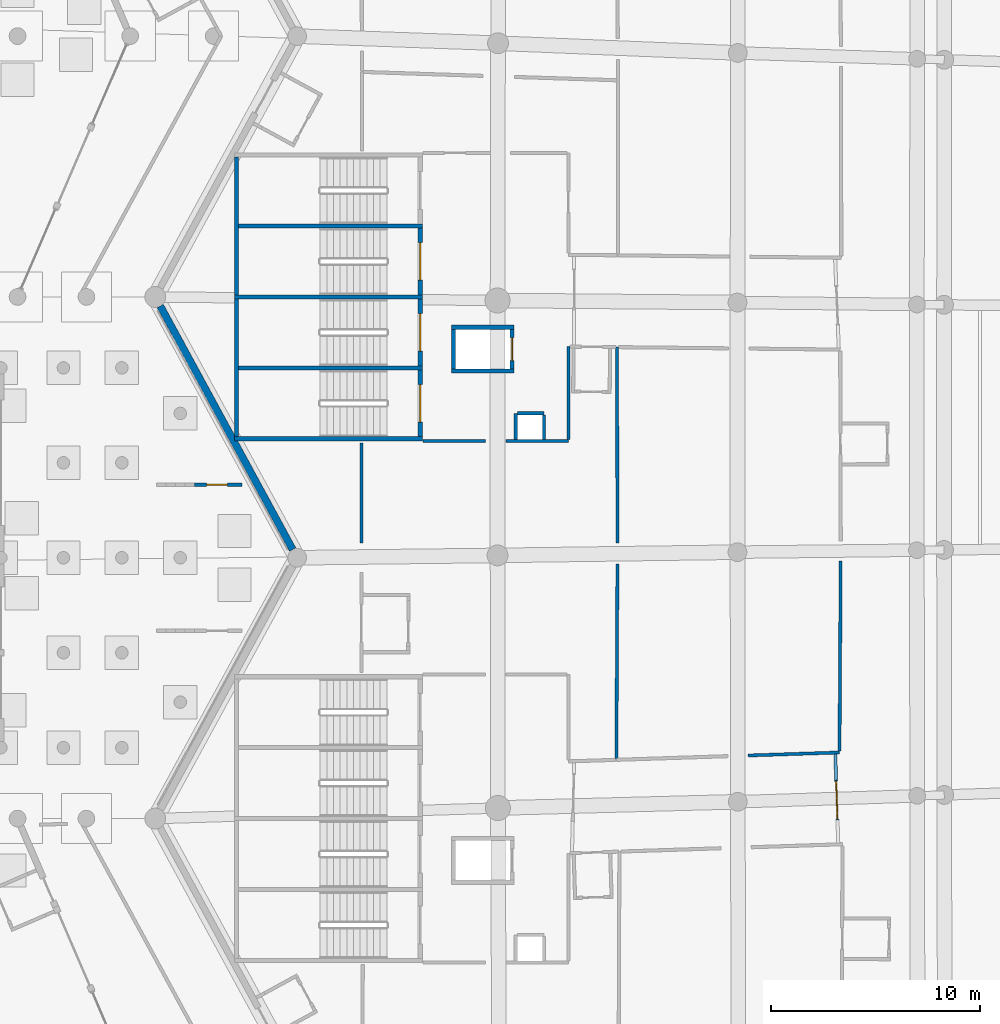
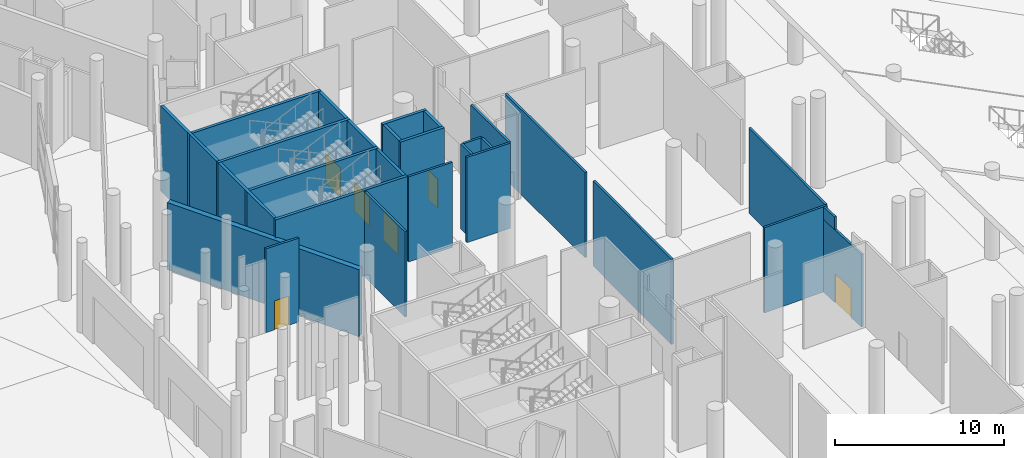
# One storey, part 114 of 255: 28 walls, 6 doors, 6 openings.
"""IFC4 building model written with IfcOpenShell, lengths in metres."""

from ifc_helpers import new_model, si_unit, direction, frame, frame_2d, origin, place, context, subcontext, project, spatial, rectangle, extrude, material, layer, layer_set, type_object, element, fill, save


model = new_model("IFC4")

# Units and contexts
model_context = context("Model", 3, precision=1e-05, world=origin(), true_north=direction((0.0, 1.0)))
body_context = subcontext(model_context, "Body", "Model", "MODEL_VIEW")
ifc_project = project(units=[si_unit("LENGTHUNIT", "METRE"), si_unit("AREAUNIT", "SQUARE_METRE"), si_unit("VOLUMEUNIT", "CUBIC_METRE"), si_unit("PLANEANGLEUNIT", "RADIAN"), si_unit("MASSUNIT", "GRAM", prefix="KILO")], contexts=[model_context])

# Site, building, storey
site_placement = place(None, origin())
site = spatial("IfcSite", under=ifc_project, at=site_placement, CompositionType="ELEMENT")
building_placement = place(site_placement, origin())
building = spatial("IfcBuilding", under=site, at=building_placement, Name="Meseta Stadium", CompositionType="ELEMENT")
storey_placement = place(building_placement, origin())
storey = spatial("IfcBuildingStorey", under=building, at=storey_placement, Name="L00", CompositionType="ELEMENT", Elevation=0.0)

# Walls
ifc_material_1 = material(Name="Concrete C40/50", Category="concrete")
ifc_layer_1 = layer(ifc_material_1, 0.199951171875)
ifc_layer_set_1 = layer_set([ifc_layer_1], Name="Core divider wall 200")
wall_type_1 = type_object("IfcWallType", Name="Core divider wall 200", PredefinedType="SHEAR", material=ifc_layer_set_1)
for number, where, z_axis, x_axis, name in (
    (1, (-97.60009765625, 9.64990234375, 0.0), (0.0, 0.0, 1.0), (1.0, 0.0, 0.0), "Core 17 L00 stair A divider wall"),
    (2, (-97.60009765625, 2.85009765625, 0.0), (0.0, 0.0, 1.0), (1.0, 0.0, 0.0), "Core 17 L00 stair B divider wall"),
):
    element("IfcWall", number, at=place(storey_placement, frame(where, z_axis=z_axis, x_axis=x_axis)), inside=storey, type_object=wall_type_1, Name=name, PredefinedType="SHEAR", context=body_context, shape_type="SweptSolid", body=[
        extrude(rectangle(XDim=9.0, YDim=0.199951171875, at=frame_2d((4.5, 0.0))), origin(), (0.0, 0.0, 1.0), 6.14990234375),
    ])
ifc_material_2 = material(Name="Concrete C40/50", Category="concrete")
ifc_layer_2 = layer(ifc_material_2, 0.199951171875)
ifc_layer_set_2 = layer_set([ifc_layer_2], Name="Core shaft wall 200")
wall_type_2 = type_object("IfcWallType", Name="Core shaft wall 200", PredefinedType="SHEAR", material=ifc_layer_set_2)
for number, where, z_axis, x_axis, name in (
    (3, (-97.60009765625, 6.25, 0.0), (0.0, 0.0, 1.0), (1.0, 0.0, 0.0), "Core 17 L00 stair wall shared"),
    (4, (-97.60009765625, -0.550048828125, 0.0), (0.0, 0.0, 1.0), (1.0, 0.0, 0.0), "Core 17 L00 stair wall B-side"),
):
    element("IfcWall", number, at=place(storey_placement, frame(where, z_axis=z_axis, x_axis=x_axis)), inside=storey, type_object=wall_type_2, Name=name, PredefinedType="SHEAR", context=body_context, shape_type="SweptSolid", body=[
        extrude(rectangle(XDim=9.0, YDim=0.199951171875, at=frame_2d((4.5, 0.0))), origin(), (0.0, 0.0, 1.0), 6.14990234375),
    ])
for number, where, z_axis, x_axis, name in (
    (5, (-97.5, 12.949951171875, 0.0), (0.0, 0.0, 1.0), (0.0, -1.0, 0.0), "Core 17 L00 stair A outer end wall"),
    (6, (-97.5, 6.14990234375, 0.0), (0.0, 0.0, 1.0), (0.0, -1.0, 0.0), "Core 17 L00 stair B outer end wall"),
):
    element("IfcWall", number, at=place(storey_placement, frame(where, z_axis=z_axis, x_axis=x_axis)), inside=storey, type_object=wall_type_2, Name=name, PredefinedType="SHEAR", context=body_context, shape_type="SweptSolid", body=[
        extrude(rectangle(XDim=6.599853515625, YDim=0.199951171875, at=frame_2d((3.2998046875, 0.0))), origin(), (0.0, 0.0, 1.0), 6.14990234375),
    ])

# Wall, opening, door
wall_1_placement = place(storey_placement, frame((-88.699951171875, 9.550048828125, 0.0), z_axis=(0.0, 0.0, 1.0), x_axis=(0.0, -1.0, 0.0)))
wall_1 = element("IfcWall", 7, at=wall_1_placement, inside=storey, type_object=wall_type_2, Name="Core 17 L00 stair A2 inner end wall", PredefinedType="SHEAR", context=body_context, shape_type="SweptSolid", body=[
    extrude(rectangle(XDim=3.199951171875, YDim=0.199951171875, at=frame_2d((1.60009765625, 0.0))), origin(), (0.0, 0.0, 1.0), 6.14990234375),
])
opening_1_placement = place(wall_1_placement, frame((0.699951171875, 0.0, 0.0)))
opening_1 = element("IfcOpeningElement", 8, at=opening_1_placement, cuts=wall_1, Name="Opening D230", PredefinedType="OPENING", context=body_context, shape_type="SweptSolid", body=[
    extrude(rectangle(XDim=1.800048828125, YDim=2.10009765625, at=frame_2d((0.89990234375, 1.050048828125))), frame((0.0, 0.10986328125, 0.0), z_axis=(0.0, -1.0, 0.0), x_axis=(1.0, 0.0, 0.0)), (0.0, 0.0, 1.0), 0.219970703125),
])
ifc_material_3 = material(Name="Steel", Category="steel")
door_type_1 = type_object("IfcDoorType", Name="Stair door 1800x2100", OperationType="DOUBLE_DOOR_SINGLE_SWING", PredefinedType="DOOR", material=ifc_material_3)
door_1_placement = place(opening_1_placement, origin())
door_1 = element("IfcDoor", 9, at=door_1_placement, inside=storey, type_object=door_type_1, Name="Stair A2 door 17 L00", OperationType="DOUBLE_DOOR_SINGLE_SWING", OverallHeight=2.10009765625, OverallWidth=1.800048828125, PredefinedType="DOOR", context=body_context, shape_type="SweptSolid", body=[
    extrude(rectangle(XDim=1.800048828125, YDim=2.10009765625, at=frame_2d((0.89990234375, 1.050048828125))), frame((0.0, 0.02490234375, 0.0), z_axis=(0.0, -1.0, 0.0), x_axis=(1.0, 0.0, 0.0)), (0.0, 0.0, 1.0), 0.050048828125),
])
fill(opening_1, door_1)

wall_2_placement = place(storey_placement, frame((-88.699951171875, 6.14990234375, 0.0), z_axis=(0.0, 0.0, 1.0), x_axis=(0.0, -1.0, 0.0)))
wall_2 = element("IfcWall", 10, at=wall_2_placement, inside=storey, type_object=wall_type_2, Name="Core 17 L00 stair B1 inner end wall", PredefinedType="SHEAR", context=body_context, shape_type="SweptSolid", body=[
    extrude(rectangle(XDim=3.199951171875, YDim=0.199951171875, at=frame_2d((1.60009765625, 0.0))), origin(), (0.0, 0.0, 1.0), 6.14990234375),
])
opening_2_placement = place(wall_2_placement, frame((0.699951171875, 0.0, 0.0)))
opening_2 = element("IfcOpeningElement", 11, at=opening_2_placement, cuts=wall_2, Name="Opening D231", PredefinedType="OPENING", context=body_context, shape_type="SweptSolid", body=[
    extrude(rectangle(XDim=1.800048828125, YDim=2.10009765625, at=frame_2d((0.89990234375, 1.050048828125))), frame((0.0, 0.10986328125, 0.0), z_axis=(0.0, -1.0, 0.0), x_axis=(1.0, 0.0, 0.0)), (0.0, 0.0, 1.0), 0.219970703125),
])
door_2_placement = place(opening_2_placement, origin())
door_2 = element("IfcDoor", 12, at=door_2_placement, inside=storey, type_object=door_type_1, Name="Stair B1 door 17 L00", OperationType="DOUBLE_DOOR_SINGLE_SWING", OverallHeight=2.10009765625, OverallWidth=1.800048828125, PredefinedType="DOOR", context=body_context, shape_type="SweptSolid", body=[
    extrude(rectangle(XDim=1.800048828125, YDim=2.10009765625, at=frame_2d((0.89990234375, 1.050048828125))), frame((0.0, 0.02490234375, 0.0), z_axis=(0.0, -1.0, 0.0), x_axis=(1.0, 0.0, 0.0)), (0.0, 0.0, 1.0), 0.050048828125),
])
fill(opening_2, door_2)

wall_3_placement = place(storey_placement, frame((-88.699951171875, 2.75, 0.0), z_axis=(0.0, 0.0, 1.0), x_axis=(0.0, -1.0, 0.0)))
wall_3 = element("IfcWall", 13, at=wall_3_placement, inside=storey, type_object=wall_type_2, Name="Core 17 L00 stair B2 inner end wall", PredefinedType="SHEAR", context=body_context, shape_type="SweptSolid", body=[
    extrude(rectangle(XDim=3.199951171875, YDim=0.199951171875, at=frame_2d((1.60009765625, 0.0))), origin(), (0.0, 0.0, 1.0), 6.14990234375),
])
opening_3_placement = place(wall_3_placement, frame((0.699951171875, 0.0, 0.0)))
opening_3 = element("IfcOpeningElement", 14, at=opening_3_placement, cuts=wall_3, Name="Opening D232", PredefinedType="OPENING", context=body_context, shape_type="SweptSolid", body=[
    extrude(rectangle(XDim=1.800048828125, YDim=2.10009765625, at=frame_2d((0.89990234375, 1.050048828125))), frame((0.0, 0.10986328125, 0.0), z_axis=(0.0, -1.0, 0.0), x_axis=(1.0, 0.0, 0.0)), (0.0, 0.0, 1.0), 0.219970703125),
])
door_3_placement = place(opening_3_placement, origin())
door_3 = element("IfcDoor", 15, at=door_3_placement, inside=storey, type_object=door_type_1, Name="Stair B2 door 17 L00", OperationType="DOUBLE_DOOR_SINGLE_SWING", OverallHeight=2.10009765625, OverallWidth=1.800048828125, PredefinedType="DOOR", context=body_context, shape_type="SweptSolid", body=[
    extrude(rectangle(XDim=1.800048828125, YDim=2.10009765625, at=frame_2d((0.89990234375, 1.050048828125))), frame((0.0, 0.02490234375, 0.0), z_axis=(0.0, -1.0, 0.0), x_axis=(1.0, 0.0, 0.0)), (0.0, 0.0, 1.0), 0.050048828125),
])
fill(opening_3, door_3)

# Walls
for number, where, z_axis, x_axis, name in (
    (16, (-87.199951171875, 4.800048828125, 0.0), (0.0, 0.0, 1.0), (1.0, 0.0, 0.0), "Core 17 L00 lift shaft wall left"),
    (17, (-87.199951171875, 2.699951171875, 0.0), (0.0, 0.0, 1.0), (1.0, 0.0, 0.0), "Core 17 L00 lift shaft wall right"),
):
    element("IfcWall", number, at=place(storey_placement, frame(where, z_axis=z_axis, x_axis=x_axis)), inside=storey, type_object=wall_type_2, Name=name, PredefinedType="SHEAR", context=body_context, shape_type="SweptSolid", body=[
        extrude(rectangle(XDim=3.0, YDim=0.199951171875, at=frame_2d((1.5, 0.0))), origin(), (0.0, 0.0, 1.0), 6.14990234375),
    ])
wall_4_placement = place(storey_placement, frame((-87.10009765625, 4.699951171875, 0.0), z_axis=(0.0, 0.0, 1.0), x_axis=(0.0, -1.0, 0.0)))
element("IfcWall", 18, at=wall_4_placement, inside=storey, type_object=wall_type_2, Name="Core 17 L00 lift shaft back wall", PredefinedType="SHEAR", context=body_context, shape_type="SweptSolid", body=[
    extrude(rectangle(XDim=1.89990234375, YDim=0.199951171875, at=frame_2d((0.949951171875, 0.0))), origin(), (0.0, 0.0, 1.0), 6.14990234375),
])

# Wall, opening, door
wall_5_placement = place(storey_placement, frame((-84.300048828125, 4.699951171875, 0.0), z_axis=(0.0, 0.0, 1.0), x_axis=(0.0, -1.0, 0.0)))
wall_5 = element("IfcWall", 19, at=wall_5_placement, inside=storey, type_object=wall_type_2, Name="Core 17 L00 lift shaft front wall", PredefinedType="SHEAR", context=body_context, shape_type="SweptSolid", body=[
    extrude(rectangle(XDim=1.89990234375, YDim=0.199951171875, at=frame_2d((0.949951171875, 0.0))), origin(), (0.0, 0.0, 1.0), 6.14990234375),
])
opening_4_placement = place(wall_5_placement, frame((0.39990234375, 0.0, 0.0)))
opening_4 = element("IfcOpeningElement", 20, at=opening_4_placement, cuts=wall_5, Name="Opening LD92", PredefinedType="OPENING", context=body_context, shape_type="SweptSolid", body=[
    extrude(rectangle(XDim=1.10009765625, YDim=2.10009765625, at=frame_2d((0.550048828125, 1.050048828125))), frame((0.0, 0.10986328125, 0.0), z_axis=(0.0, -1.0, 0.0), x_axis=(1.0, 0.0, 0.0)), (0.0, 0.0, 1.0), 0.219970703125),
])
ifc_material_4 = material(Name="Steel", Category="steel")
door_type_2 = type_object("IfcDoorType", Name="Lift landing door 1100x2100", OperationType="SLIDING_TO_LEFT", PredefinedType="DOOR", material=ifc_material_4)
door_4_placement = place(opening_4_placement, origin())
door_4 = element("IfcDoor", 21, at=door_4_placement, inside=storey, type_object=door_type_2, Name="Lift landing door LD92", OperationType="SLIDING_TO_RIGHT", OverallHeight=2.10009765625, OverallWidth=1.10009765625, PredefinedType="DOOR", context=body_context, shape_type="SweptSolid", body=[
    extrude(rectangle(XDim=1.10009765625, YDim=2.10009765625, at=frame_2d((0.550048828125, 1.050048828125))), frame((0.0, 0.02490234375, 0.0), z_axis=(0.0, -1.0, 0.0), x_axis=(1.0, 0.0, 0.0)), (0.0, 0.0, 1.0), 0.050048828125),
])
fill(opening_4, door_4)

ifc_material_5 = material(Name="Masonry blockwork", Category="masonry")
ifc_layer_3 = layer(ifc_material_5, 0.14990234375)
ifc_layer_set_3 = layer_set([ifc_layer_3], Name="Partition 150")
wall_type_3 = type_object("IfcWallType", Name="Partition 150", PredefinedType="PARTITIONING", material=ifc_layer_set_3)
wall_6_placement = place(storey_placement, frame((-97.24462890625, -2.75, 0.0), z_axis=(0.0, 0.0, 1.0), x_axis=(-1.0, 0.0, 0.0)))
wall_6 = element("IfcWall", 22, at=wall_6_placement, inside=storey, type_object=wall_type_3, Name="Partition L00 G5-L00-0-SecurityScreening-0", PredefinedType="PARTITIONING", context=body_context, shape_type="SweptSolid", body=[
    extrude(rectangle(XDim=2.28076171875, YDim=0.14990234375, at=frame_2d((1.140380859375, 0.0))), origin(), (0.0, 0.0, 1.0), 6.050048828125),
])
opening_5_placement = place(wall_6_placement, frame((0.699951171875, 0.0, 0.0)))
opening_5 = element("IfcOpeningElement", 23, at=opening_5_placement, cuts=wall_6, Name="Opening D524", PredefinedType="OPENING", context=body_context, shape_type="SweptSolid", body=[
    extrude(rectangle(XDim=1.0, YDim=2.10009765625, at=frame_2d((0.5, 1.050048828125))), frame((0.0, 0.0849609375, 0.0), z_axis=(0.0, -1.0, 0.0), x_axis=(1.0, 0.0, 0.0)), (0.0, 0.0, 1.0), 0.169921875),
])
ifc_material_6 = material(Name="Steel", Category="steel")
door_type_3 = type_object("IfcDoorType", Name="Fire door 1000x2100 EI2 60", OperationType="NOTDEFINED", PredefinedType="DOOR", material=ifc_material_6)
door_5_placement = place(opening_5_placement, origin())
door_5 = element("IfcDoor", 24, at=door_5_placement, inside=storey, type_object=door_type_3, Name="Door D524", OperationType="SINGLE_SWING_RIGHT", OverallHeight=2.10009765625, OverallWidth=1.0, PredefinedType="DOOR", context=body_context, shape_type="SweptSolid", body=[
    extrude(rectangle(XDim=1.0, YDim=2.10009765625, at=frame_2d((0.5, 1.050048828125))), frame((0.0, 0.02490234375, 0.0), z_axis=(0.0, -1.0, 0.0), x_axis=(1.0, 0.0, 0.0)), (0.0, 0.0, 1.0), 0.050048828125),
])
fill(opening_5, door_5)

# Walls
wall_7_placement = place(storey_placement, frame((-68.607421875, -15.581787109375, 0.0), z_axis=(0.0, 0.0, 1.0), x_axis=(-0.99945844183, -0.032906276824, 0.0)))
element("IfcWall", 25, at=wall_7_placement, inside=storey, type_object=wall_type_3, Name="Partition L00 L00-cell16-1-0", PredefinedType="PARTITIONING", context=body_context, shape_type="SweptSolid", body=[
    extrude(rectangle(XDim=4.37744140625, YDim=0.14990234375, at=frame_2d((2.188720703125, 0.0))), origin(), (0.0, 0.0, 1.0), 6.14990234375),
])
wall_8_placement = place(storey_placement, frame((-79.30126953125, -15.858642578125, 0.0), z_axis=(0.0, 0.0, 1.0), x_axis=(0.00544865386, 0.999985155975, 0.0)))
element("IfcWall", 26, at=wall_8_placement, inside=storey, type_object=wall_type_3, Name="Partition L00 L00-cell16-1-0", PredefinedType="PARTITIONING", context=body_context, shape_type="SweptSolid", body=[
    extrude(rectangle(XDim=9.320068359375, YDim=0.14990234375, at=frame_2d((4.66015625, 0.0))), origin(), (0.0, 0.0, 1.0), 6.14990234375),
])
wall_9_placement = place(storey_placement, frame((-79.248779296875, -5.5498046875, 0.0), z_axis=(0.0, 0.0, 1.0), x_axis=(-0.002442883638, 0.999997016155, 0.0)))
element("IfcWall", 27, at=wall_9_placement, inside=storey, type_object=wall_type_3, Name="Partition L00 L00-cell16-1-0", PredefinedType="PARTITIONING", context=body_context, shape_type="SweptSolid", body=[
    extrude(rectangle(XDim=9.394287109375, YDim=0.14990234375, at=frame_2d((4.697265625, 0.0))), origin(), (0.0, 0.0, 1.0), 6.14990234375),
])
wall_10_placement = place(storey_placement, frame((-68.55126953125, -6.409912109375, 0.0), z_axis=(0.0, 0.0, 1.0), x_axis=(-0.006118883866, -0.999981279455, 0.0)))
element("IfcWall", 28, at=wall_10_placement, inside=storey, type_object=wall_type_3, Name="Partition L00 L00-cell16-1-0", PredefinedType="PARTITIONING", context=body_context, shape_type="SweptSolid", body=[
    extrude(rectangle(XDim=9.09716796875, YDim=0.14990234375, at=frame_2d((4.548583984375, 0.0))), origin(), (0.0, 0.0, 1.0), 6.14990234375),
])
wall_11_placement = place(storey_placement, frame((-91.517333984375, -5.53271484375, 0.0), z_axis=(0.0, 0.0, 1.0), x_axis=(0.001174067593, 0.999999310782, 0.0)))
element("IfcWall", 29, at=wall_11_placement, inside=storey, type_object=wall_type_3, Name="Partition L00 L00-cell16-2-0", PredefinedType="PARTITIONING", context=body_context, shape_type="SweptSolid", body=[
    extrude(rectangle(XDim=4.78271484375, YDim=0.14990234375, at=frame_2d((2.391357421875, 0.0))), origin(), (0.0, 0.0, 1.0), 6.14990234375),
])
for number, where, z_axis, x_axis, name in (
    (30, (-88.56005859375, -0.64990234375, 0.0), (0.0, 0.0, 1.0), (1.0, 0.0, 0.0), "Partition L00 L00-cell16-2-0"),
    (31, (-84.5830078125, -0.64990234375, 0.0), (0.0, 0.0, 1.0), (1.0, 0.0, 0.0), "Partition L00 L00-cell16-2-0"),
):
    element("IfcWall", number, at=place(storey_placement, frame(where, z_axis=z_axis, x_axis=x_axis)), inside=storey, type_object=wall_type_3, Name=name, PredefinedType="PARTITIONING", context=body_context, shape_type="SweptSolid", body=[
        extrude(rectangle(XDim=2.98291015625, YDim=0.14990234375, at=frame_2d((1.491455078125, 0.0))), origin(), (0.0, 0.0, 1.0), 6.14990234375),
    ])
wall_12_placement = place(storey_placement, frame((-81.60009765625, -0.574951171875, 0.0), z_axis=(0.0, 0.0, 1.0), x_axis=(0.0, 1.0, 0.0)))
element("IfcWall", 32, at=wall_12_placement, inside=storey, type_object=wall_type_3, Name="Partition L00 L00-cell16-2-0", PredefinedType="PARTITIONING", context=body_context, shape_type="SweptSolid", body=[
    extrude(rectangle(XDim=4.445068359375, YDim=0.14990234375, at=frame_2d((2.22265625, 0.0))), origin(), (0.0, 0.0, 1.0), 6.14990234375),
])
wall_13_placement = place(storey_placement, frame((-84.125, 0.675048828125, 0.0), z_axis=(0.0, 0.0, 1.0), x_axis=(0.0, -1.0, 0.0)))
element("IfcWall", 33, at=wall_13_placement, inside=storey, type_object=wall_type_3, Name="Pressurisation shaft wall L00 core 17", PredefinedType="PARTITIONING", context=body_context, shape_type="SweptSolid", body=[
    extrude(rectangle(XDim=1.2490234375, YDim=0.14990234375, at=frame_2d((0.62451171875, 0.0))), origin(), (0.0, 0.0, 1.0), 6.14990234375),
])
wall_14_placement = place(storey_placement, frame((-82.77490234375, -0.573974609375, 0.0), z_axis=(0.0, 0.0, 1.0), x_axis=(0.0, 1.0, 0.0)))
element("IfcWall", 34, at=wall_14_placement, inside=storey, type_object=wall_type_3, Name="Pressurisation shaft wall L00 core 17", PredefinedType="PARTITIONING", context=body_context, shape_type="SweptSolid", body=[
    extrude(rectangle(XDim=1.174072265625, YDim=0.14990234375, at=frame_2d((0.5869140625, 0.0))), origin(), (0.0, 0.0, 1.0), 6.14990234375),
])
wall_15_placement = place(storey_placement, frame((-82.77490234375, 0.675048828125, 0.0), z_axis=(0.0, 0.0, 1.0), x_axis=(-1.0, 0.0, 0.0)))
element("IfcWall", 35, at=wall_15_placement, inside=storey, type_object=wall_type_3, Name="Pressurisation shaft wall L00 core 17", PredefinedType="PARTITIONING", context=body_context, shape_type="SweptSolid", body=[
    extrude(rectangle(XDim=1.275146484375, YDim=0.14990234375, at=frame_2d((0.6376953125, 0.0))), origin(), (0.0, 0.0, 1.0), 6.14990234375),
])

# Wall, opening, door
wall_16_placement = place(storey_placement, frame((-68.808837890625, -15.66455078125, 0.0), z_axis=(0.0, 0.0, 1.0), x_axis=(0.032872799659, -0.999459543475, 0.0)))
wall_16 = element("IfcWall", 36, at=wall_16_placement, inside=storey, type_object=wall_type_3, Name="Escape corridor discharge wall L00 core 18", PredefinedType="PARTITIONING", context=body_context, shape_type="SweptSolid", body=[
    extrude(rectangle(XDim=4.248046875, YDim=0.14990234375, at=frame_2d((2.1240234375, 0.0))), origin(), (0.0, 0.0, 1.0), 5.25),
])
opening_6_placement = place(wall_16_placement, frame((1.298095703125, 0.0, 0.0)))
opening_6 = element("IfcOpeningElement", 37, at=opening_6_placement, cuts=wall_16, Name="Opening D394", PredefinedType="OPENING", context=body_context, shape_type="SweptSolid", body=[
    extrude(rectangle(XDim=1.800048828125, YDim=2.10009765625, at=frame_2d((0.89990234375, 1.050048828125))), frame((0.0, 0.0849609375, 0.0), z_axis=(0.0, -1.0, 0.0), x_axis=(1.0, 0.0, 0.0)), (0.0, 0.0, 1.0), 0.169921875),
])
ifc_material_7 = material(Name="Steel", Category="steel")
door_type_4 = type_object("IfcDoorType", Name="Fire double door 1800x2100 EI2 60", OperationType="DOUBLE_DOOR_SINGLE_SWING", PredefinedType="DOOR", material=ifc_material_7)
door_6_placement = place(opening_6_placement, origin())
door_6 = element("IfcDoor", 38, at=door_6_placement, inside=storey, type_object=door_type_4, Name="Stair discharge door SD18-1", OperationType="DOUBLE_DOOR_SINGLE_SWING", OverallHeight=2.10009765625, OverallWidth=1.800048828125, PredefinedType="DOOR", context=body_context, shape_type="SweptSolid", body=[
    extrude(rectangle(XDim=1.800048828125, YDim=2.10009765625, at=frame_2d((0.89990234375, 1.050048828125))), frame((0.0, 0.02490234375, 0.0), z_axis=(0.0, -1.0, 0.0), x_axis=(1.0, 0.0, 0.0)), (0.0, 0.0, 1.0), 0.050048828125),
])
fill(opening_6, door_6)

# Walls
wall_17_placement = place(storey_placement, frame((-68.808837890625, -15.66455078125, 5.25), z_axis=(0.0, 0.0, 1.0), x_axis=(0.033054334832, -0.999453556174, 0.0)))
element("IfcWall", 39, at=wall_17_placement, inside=storey, type_object=wall_type_3, Name="Escape corridor discharge wall L00 core 18", PredefinedType="PARTITIONING", context=body_context, shape_type="SweptSolid", body=[
    extrude(rectangle(XDim=1.248291015625, YDim=0.14990234375, at=frame_2d((0.6240234375, 0.0))), origin(), (0.0, 0.0, 1.0), 0.89990234375),
])
ifc_material_8 = material(Name="White precast concrete C40/50", Category="concrete")
ifc_layer_4 = layer(ifc_material_8, 0.35009765625)
ifc_layer_set_4 = layer_set([ifc_layer_4], Name="Pleated panel wall 350 gate")
wall_type_4 = type_object("IfcWallType", Name="Pleated panel wall 350 gate", PredefinedType="SOLIDWALL", material=ifc_layer_set_4)
wall_18_placement = place(storey_placement, frame((-94.81494140625, -5.854736328125, 0.0), z_axis=(0.0, 0.0, 1.0), x_axis=(-0.477867771117, 0.878431780691, 0.0)))
element("IfcWall", 40, at=wall_18_placement, inside=storey, type_object=wall_type_4, Name="Pleated facade panel L00 F32", PredefinedType="SOLIDWALL", context=body_context, shape_type="SweptSolid", body=[
    extrude(rectangle(XDim=13.2802734375, YDim=0.35009765625, at=frame_2d((6.64013671875, 0.0))), origin(), (0.0, 0.0, 1.0), 4.85009765625),
])

save(model, "model.ifc")
